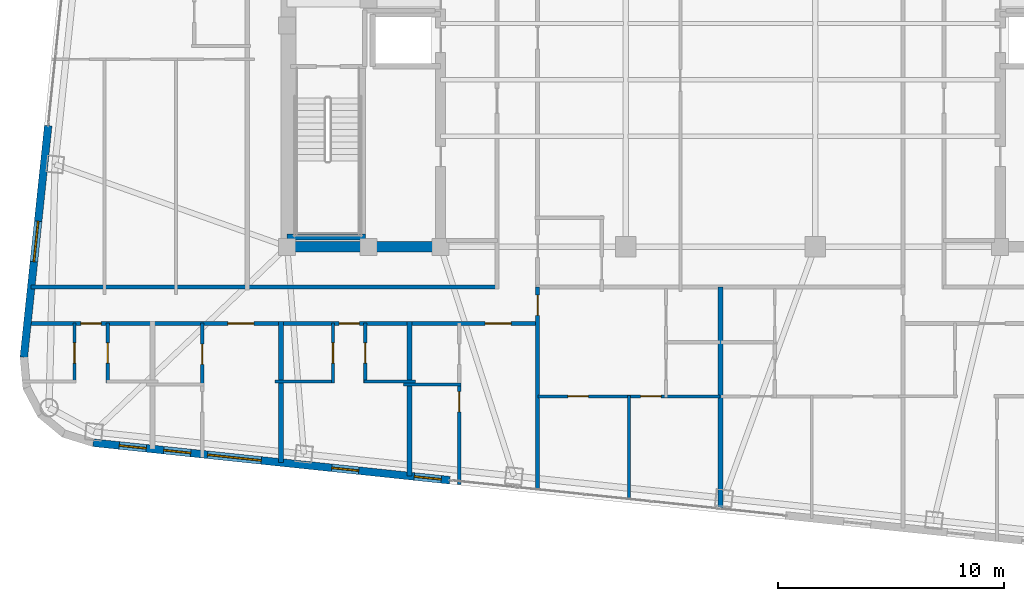
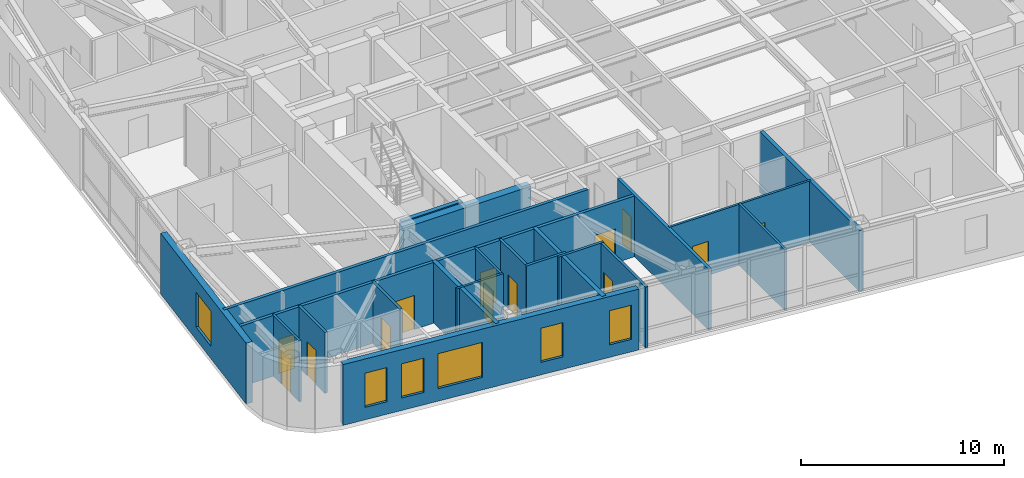
# One storey, part 15 of 23: 21 walls, 13 doors, 6 windows, 19 openings.
"""IFC4 building model written with IfcOpenShell, lengths in metres."""

from ifc_helpers import new_model, si_unit, direction, frame, frame_2d, origin, place, context, subcontext, project, spatial, rectangle, extrude, material, layer, layer_set, type_object, element, fill, save


model = new_model("IFC4")

# Units and contexts
model_context = context("Model", 3, precision=1e-05, world=origin(), true_north=direction((0.0, 1.0)))
body_context = subcontext(model_context, "Body", "Model", "MODEL_VIEW")
ifc_project = project(units=[si_unit("LENGTHUNIT", "METRE"), si_unit("AREAUNIT", "SQUARE_METRE"), si_unit("VOLUMEUNIT", "CUBIC_METRE"), si_unit("PLANEANGLEUNIT", "RADIAN"), si_unit("MASSUNIT", "GRAM", prefix="KILO")], contexts=[model_context])

# Site, building, storey
site_placement = place(None, origin())
site = spatial("IfcSite", under=ifc_project, at=site_placement, CompositionType="ELEMENT")
building_placement = place(site_placement, origin())
building = spatial("IfcBuilding", under=site, at=building_placement, Name="Voryun Gate Residences", CompositionType="ELEMENT")
storey_placement = place(building_placement, frame((0.0, 0.0, 275.60009765625)))
storey = spatial("IfcBuildingStorey", under=building, at=storey_placement, Name="L68", CompositionType="ELEMENT", Elevation=275.60009765625)

# Walls
ifc_material_1 = material(Name="Concrete C50/60", Category="concrete")
ifc_layer_1 = layer(ifc_material_1, 0.449951171875, Name="CW_CORE_450")
ifc_layer_set_1 = layer_set([ifc_layer_1], Name="Concrete C50/60")
wall_type_1 = type_object("IfcWallType", Name="CW_CORE_450", PredefinedType="SHEAR", material=ifc_layer_set_1)
wall_1_placement = place(storey_placement, frame((-19.425048828125, -7.39990234375, 0.0), z_axis=(0.0, 0.0, 1.0), x_axis=(1.0, 0.0, 0.0)))
element("IfcWall", 1, at=wall_1_placement, inside=storey, type_object=wall_type_1, Name="L68 Core shear wall CW-L68-WS", PredefinedType="SHEAR", context=body_context, shape_type="SweptSolid", body=[
    extrude(rectangle(XDim=7.25, YDim=0.449951171875, at=frame_2d((3.625, 0.0))), origin(), (0.0, 0.0, 1.0), 3.64990234375),
])
ifc_material_2 = material(Name="Gypsum acoustic fireboard")
ifc_layer_2 = layer(ifc_material_2, 0.179931640625, Name="W_CORR_RATED_180")
ifc_layer_set_2 = layer_set([ifc_layer_2], Name="Gypsum acoustic fireboard")
wall_type_2 = type_object("IfcWallType", Name="W_CORR_RATED_180", PredefinedType="PARTITIONING", material=ifc_layer_set_2)
wall_2_placement = place(storey_placement, frame((-30.543701171875, -9.18994140625, 0.0), z_axis=(0.0, 0.0, 1.0), x_axis=(1.0, 0.0, 0.0)))
element("IfcWall", 2, at=wall_2_placement, inside=storey, type_object=wall_type_2, Name="Partition wall WP-L68-CWING-WS", PredefinedType="PARTITIONING", context=body_context, shape_type="SweptSolid", body=[
    extrude(rectangle(XDim=20.663818359375, YDim=0.179931640625, at=frame_2d((10.33203125, 0.0))), origin(), (0.0, 0.0, 1.0), 3.64990234375),
])

# Wall, openings, doors
wall_3_placement = place(storey_placement, frame((-30.712890625, -10.800048828125, 0.0), z_axis=(0.0, 0.0, 1.0), x_axis=(1.0, 0.0, 0.0)))
wall_3 = element("IfcWall", 3, at=wall_3_placement, inside=storey, type_object=wall_type_2, Name="Partition wall WP-L68-SCORR-W", PredefinedType="PARTITIONING", context=body_context, shape_type="SweptSolid", body=[
    extrude(rectangle(XDim=22.6328125, YDim=0.179931640625, at=frame_2d((11.31640625, 0.0))), origin(), (0.0, 0.0, 1.0), 3.64990234375),
])
opening_1_placement = place(wall_3_placement, frame((2.372314453125, 0.0, 0.0)))
opening_1 = element("IfcOpeningElement", 4, at=opening_1_placement, cuts=wall_3, Name="Opening D-INT-2", PredefinedType="OPENING", context=body_context, shape_type="SweptSolid", body=[
    extrude(rectangle(XDim=0.89990234375, YDim=2.050048828125, at=frame_2d((0.449951171875, 1.02490234375))), frame((0.0, 0.099853515625, 0.0), z_axis=(0.0, -1.0, 0.0), x_axis=(1.0, 0.0, 0.0)), (0.0, 0.0, 1.0), 0.199951171875),
])
opening_2_placement = place(wall_3_placement, frame((8.885498046875, 0.0, 0.0)))
opening_2 = element("IfcOpeningElement", 5, at=opening_2_placement, cuts=wall_3, Name="Opening D-UNIT-1", PredefinedType="OPENING", context=body_context, shape_type="SweptSolid", body=[
    extrude(rectangle(XDim=1.14990234375, YDim=2.050048828125, at=frame_2d((0.574951171875, 1.02490234375))), frame((0.0, 0.099853515625, 0.0), z_axis=(0.0, -1.0, 0.0), x_axis=(1.0, 0.0, 0.0)), (0.0, 0.0, 1.0), 0.199951171875),
])
opening_3_placement = place(wall_3_placement, frame((13.81103515625, 0.0, 0.0)))
opening_3 = element("IfcOpeningElement", 6, at=opening_3_placement, cuts=wall_3, Name="Opening D-INT-2", PredefinedType="OPENING", context=body_context, shape_type="SweptSolid", body=[
    extrude(rectangle(XDim=0.89990234375, YDim=2.050048828125, at=frame_2d((0.449951171875, 1.02490234375))), frame((0.0, 0.099853515625, 0.0), z_axis=(0.0, -1.0, 0.0), x_axis=(1.0, 0.0, 0.0)), (0.0, 0.0, 1.0), 0.199951171875),
])
opening_4_placement = place(wall_3_placement, frame((20.283447265625, 0.0, 0.0)))
opening_4 = element("IfcOpeningElement", 7, at=opening_4_placement, cuts=wall_3, Name="Opening D-UNIT-1", PredefinedType="OPENING", context=body_context, shape_type="SweptSolid", body=[
    extrude(rectangle(XDim=1.14990234375, YDim=2.050048828125, at=frame_2d((0.574951171875, 1.02490234375))), frame((0.0, 0.099853515625, 0.0), z_axis=(0.0, -1.0, 0.0), x_axis=(1.0, 0.0, 0.0)), (0.0, 0.0, 1.0), 0.199951171875),
])
ifc_material_3 = material(Name="Architectural oak veneer")
door_type_1 = type_object("IfcDoorType", Name="DR_INT_BATH_900", OperationType="NOTDEFINED", PredefinedType="DOOR", material=ifc_material_3)
door_1_placement = place(opening_1_placement, origin())
door_1 = element("IfcDoor", 8, at=door_1_placement, inside=storey, type_object=door_type_1, Name="Door DR-L68-SENT-1", OperationType="SINGLE_SWING_RIGHT", OverallHeight=2.050048828125, OverallWidth=0.89990234375, PredefinedType="DOOR", context=body_context, shape_type="SweptSolid", body=[
    extrude(rectangle(XDim=0.89990234375, YDim=2.050048828125, at=frame_2d((0.449951171875, 1.02490234375))), frame((0.0, 0.02490234375, 0.0), z_axis=(0.0, -1.0, 0.0), x_axis=(1.0, 0.0, 0.0)), (0.0, 0.0, 1.0), 0.050048828125),
])
fill(opening_1, door_1)
door_2_placement = place(opening_3_placement, origin())
door_2 = element("IfcDoor", 9, at=door_2_placement, inside=storey, type_object=door_type_1, Name="Door DR-L68-SENT-3", OperationType="SINGLE_SWING_RIGHT", OverallHeight=2.050048828125, OverallWidth=0.89990234375, PredefinedType="DOOR", context=body_context, shape_type="SweptSolid", body=[
    extrude(rectangle(XDim=0.89990234375, YDim=2.050048828125, at=frame_2d((0.449951171875, 1.02490234375))), frame((0.0, 0.02490234375, 0.0), z_axis=(0.0, -1.0, 0.0), x_axis=(1.0, 0.0, 0.0)), (0.0, 0.0, 1.0), 0.050048828125),
])
fill(opening_3, door_2)
ifc_material_4 = material(Name="Armoured timber-clad fire door", Category="wood")
door_type_2 = type_object("IfcDoorType", Name="DR_UNIT_ENTRY_1150", OperationType="NOTDEFINED", PredefinedType="DOOR", material=ifc_material_4)
door_3_placement = place(opening_2_placement, origin())
door_3 = element("IfcDoor", 10, at=door_3_placement, inside=storey, type_object=door_type_2, Name="Door DR-L68-SENT-2", OperationType="SINGLE_SWING_LEFT", OverallHeight=2.050048828125, OverallWidth=1.14990234375, PredefinedType="DOOR", context=body_context, shape_type="SweptSolid", body=[
    extrude(rectangle(XDim=1.14990234375, YDim=2.050048828125, at=frame_2d((0.574951171875, 1.02490234375))), frame((0.0, 0.02490234375, 0.0), z_axis=(0.0, -1.0, 0.0), x_axis=(1.0, 0.0, 0.0)), (0.0, 0.0, 1.0), 0.050048828125),
])
fill(opening_2, door_3)
door_4_placement = place(opening_4_placement, origin())
door_4 = element("IfcDoor", 11, at=door_4_placement, inside=storey, type_object=door_type_2, Name="Door DR-L68-SENT-4", OperationType="SINGLE_SWING_LEFT", OverallHeight=2.050048828125, OverallWidth=1.14990234375, PredefinedType="DOOR", context=body_context, shape_type="SweptSolid", body=[
    extrude(rectangle(XDim=1.14990234375, YDim=2.050048828125, at=frame_2d((0.574951171875, 1.02490234375))), frame((0.0, 0.02490234375, 0.0), z_axis=(0.0, -1.0, 0.0), x_axis=(1.0, 0.0, 0.0)), (0.0, 0.0, 1.0), 0.050048828125),
])
fill(opening_4, door_4)

# Wall, opening, door
wall_4_placement = place(storey_placement, frame((-8.10009765625, -18.154541015625, 0.0), z_axis=(0.0, 0.0, 1.0), x_axis=(0.0, 1.0, 0.0)))
wall_4 = element("IfcWall", 12, at=wall_4_placement, inside=storey, type_object=wall_type_2, Name="Partition wall WP-L68-SZV-1", PredefinedType="PARTITIONING", context=body_context, shape_type="SweptSolid", body=[
    extrude(rectangle(XDim=8.964599609375, YDim=0.179931640625, at=frame_2d((4.482421875, 0.0))), origin(), (0.0, 0.0, 1.0), 3.64990234375),
])
opening_5_placement = place(wall_4_placement, frame((7.71484375, 0.0, 0.0)))
opening_5 = element("IfcOpeningElement", 13, at=opening_5_placement, cuts=wall_4, Name="Opening D-INT-2", PredefinedType="OPENING", context=body_context, shape_type="SweptSolid", body=[
    extrude(rectangle(XDim=0.89990234375, YDim=2.050048828125, at=frame_2d((0.449951171875, 1.02490234375))), frame((0.0, 0.099853515625, 0.0), z_axis=(0.0, -1.0, 0.0), x_axis=(1.0, 0.0, 0.0)), (0.0, 0.0, 1.0), 0.199951171875),
])
door_5_placement = place(opening_5_placement, origin())
door_5 = element("IfcDoor", 14, at=door_5_placement, inside=storey, type_object=door_type_1, Name="Door DR-L68-SZENT-1", OperationType="SINGLE_SWING_LEFT", OverallHeight=2.050048828125, OverallWidth=0.89990234375, PredefinedType="DOOR", context=body_context, shape_type="SweptSolid", body=[
    extrude(rectangle(XDim=0.89990234375, YDim=2.050048828125, at=frame_2d((0.449951171875, 1.02490234375))), frame((0.0, 0.02490234375, 0.0), z_axis=(0.0, -1.0, 0.0), x_axis=(1.0, 0.0, 0.0)), (0.0, 0.0, 1.0), 0.050048828125),
])
fill(opening_5, door_5)

# Wall, openings, windows
ifc_material_5 = material(Name="Charcoal terracotta masonry", Category="masonry")
ifc_layer_3 = layer(ifc_material_5, 0.340087890625, Name="W_EXT_TERRACOTTA_340")
ifc_layer_set_3 = layer_set([ifc_layer_3], Name="Charcoal terracotta masonry")
wall_type_3 = type_object("IfcWallType", Name="W_EXT_TERRACOTTA_340", PredefinedType="ELEMENTEDWALL", material=ifc_layer_set_3)
wall_5_placement = place(storey_placement, frame((-11.989013671875, -17.745849609375, 0.0), z_axis=(0.0, 0.0, 1.0), x_axis=(-0.994521594531, 0.104531325504, 0.0)))
wall_5 = element("IfcWall", 15, at=wall_5_placement, inside=storey, type_object=wall_type_3, Name="Exterior wall WEXT-L68-01B", PredefinedType="ELEMENTEDWALL", context=body_context, shape_type="SweptSolid", body=[
    extrude(rectangle(XDim=15.900634765625, YDim=0.340087890625, at=frame_2d((7.9501953125, 0.0))), origin(), (0.0, 0.0, 1.0), 3.64990234375),
])
opening_6_placement = place(wall_5_placement, frame((8.400390625, 0.0, 0.75)))
opening_6 = element("IfcOpeningElement", 16, at=opening_6_placement, cuts=wall_5, Name="Opening WN2", PredefinedType="OPENING", context=body_context, shape_type="SweptSolid", body=[
    extrude(rectangle(XDim=2.39990234375, YDim=2.10009765625, at=frame_2d((1.199951171875, 1.050048828125))), frame((0.0, 0.179931640625, 0.0), z_axis=(0.0, -1.0, 0.0), x_axis=(1.0, 0.0, 0.0)), (0.0, 0.0, 1.0), 0.360107421875),
])
opening_7_placement = place(wall_5_placement, frame((13.535888671875, 0.0, 0.75)))
opening_7 = element("IfcOpeningElement", 17, at=opening_7_placement, cuts=wall_5, Name="Opening WN6", PredefinedType="OPENING", context=body_context, shape_type="SweptSolid", body=[
    extrude(rectangle(XDim=1.199951171875, YDim=2.050048828125, at=frame_2d((0.60009765625, 1.02490234375))), frame((0.0, 0.179931640625, 0.0), z_axis=(0.0, -1.0, 0.0), x_axis=(1.0, 0.0, 0.0)), (0.0, 0.0, 1.0), 0.360107421875),
])
opening_8_placement = place(wall_5_placement, frame((11.552978515625, 0.0, 0.75)))
opening_8 = element("IfcOpeningElement", 18, at=opening_8_placement, cuts=wall_5, Name="Opening WN6", PredefinedType="OPENING", context=body_context, shape_type="SweptSolid", body=[
    extrude(rectangle(XDim=1.199951171875, YDim=2.050048828125, at=frame_2d((0.60009765625, 1.02490234375))), frame((0.0, 0.179931640625, 0.0), z_axis=(0.0, -1.0, 0.0), x_axis=(1.0, 0.0, 0.0)), (0.0, 0.0, 1.0), 0.360107421875),
])
opening_9_placement = place(wall_5_placement, frame((4.0673828125, 0.0, 0.75)))
opening_9 = element("IfcOpeningElement", 19, at=opening_9_placement, cuts=wall_5, Name="Opening WN6", PredefinedType="OPENING", context=body_context, shape_type="SweptSolid", body=[
    extrude(rectangle(XDim=1.199951171875, YDim=2.050048828125, at=frame_2d((0.60009765625, 1.02490234375))), frame((0.0, 0.179931640625, 0.0), z_axis=(0.0, -1.0, 0.0), x_axis=(1.0, 0.0, 0.0)), (0.0, 0.0, 1.0), 0.360107421875),
])
opening_10_placement = place(wall_5_placement, frame((0.387451171875, 0.0, 0.75)))
opening_10 = element("IfcOpeningElement", 20, at=opening_10_placement, cuts=wall_5, Name="Opening WN6", PredefinedType="OPENING", context=body_context, shape_type="SweptSolid", body=[
    extrude(rectangle(XDim=1.199951171875, YDim=2.050048828125, at=frame_2d((0.60009765625, 1.02490234375))), frame((0.0, 0.179931640625, 0.0), z_axis=(0.0, -1.0, 0.0), x_axis=(1.0, 0.0, 0.0)), (0.0, 0.0, 1.0), 0.360107421875),
])
ifc_material_6 = material(Name="Laminated low-E glass", Category="glass")
window_type_1 = type_object("IfcWindowType", Name="WN_POD_SLOT_1200", PartitioningType="SINGLE_PANEL", PredefinedType="WINDOW", material=ifc_material_6)
window_1_placement = place(opening_7_placement, origin())
window_1 = element("IfcWindow", 21, at=window_1_placement, inside=storey, type_object=window_type_1, Name="Window WN-L68-DWFIX-10", OverallHeight=2.050048828125, OverallWidth=1.199951171875, PartitioningType="SINGLE_PANEL", PredefinedType="WINDOW", context=body_context, shape_type="SweptSolid", body=[
    extrude(rectangle(XDim=1.199951171875, YDim=2.050048828125, at=frame_2d((0.60009765625, 1.02490234375))), frame((0.0, 0.030029296875, 0.0), z_axis=(0.0, -1.0, 0.0), x_axis=(1.0, 0.0, 0.0)), (0.0, 0.0, 1.0), 0.06005859375),
])
fill(opening_7, window_1)
window_2_placement = place(opening_8_placement, origin())
window_2 = element("IfcWindow", 22, at=window_2_placement, inside=storey, type_object=window_type_1, Name="Window WN-L68-DWFIX-11", OverallHeight=2.050048828125, OverallWidth=1.199951171875, PartitioningType="SINGLE_PANEL", PredefinedType="WINDOW", context=body_context, shape_type="SweptSolid", body=[
    extrude(rectangle(XDim=1.199951171875, YDim=2.050048828125, at=frame_2d((0.60009765625, 1.02490234375))), frame((0.0, 0.030029296875, 0.0), z_axis=(0.0, -1.0, 0.0), x_axis=(1.0, 0.0, 0.0)), (0.0, 0.0, 1.0), 0.06005859375),
])
fill(opening_8, window_2)
window_3_placement = place(opening_9_placement, origin())
window_3 = element("IfcWindow", 23, at=window_3_placement, inside=storey, type_object=window_type_1, Name="Window WN-L68-DWFIX-12", OverallHeight=2.050048828125, OverallWidth=1.199951171875, PartitioningType="SINGLE_PANEL", PredefinedType="WINDOW", context=body_context, shape_type="SweptSolid", body=[
    extrude(rectangle(XDim=1.199951171875, YDim=2.050048828125, at=frame_2d((0.60009765625, 1.02490234375))), frame((0.0, 0.030029296875, 0.0), z_axis=(0.0, -1.0, 0.0), x_axis=(1.0, 0.0, 0.0)), (0.0, 0.0, 1.0), 0.06005859375),
])
fill(opening_9, window_3)
window_4_placement = place(opening_10_placement, origin())
window_4 = element("IfcWindow", 24, at=window_4_placement, inside=storey, type_object=window_type_1, Name="Window WN-L68-DWFIX-13", OverallHeight=2.050048828125, OverallWidth=1.199951171875, PartitioningType="SINGLE_PANEL", PredefinedType="WINDOW", context=body_context, shape_type="SweptSolid", body=[
    extrude(rectangle(XDim=1.199951171875, YDim=2.050048828125, at=frame_2d((0.60009765625, 1.02490234375))), frame((0.0, 0.030029296875, 0.0), z_axis=(0.0, -1.0, 0.0), x_axis=(1.0, 0.0, 0.0)), (0.0, 0.0, 1.0), 0.06005859375),
])
fill(opening_10, window_4)
ifc_material_7 = material(Name="Laminated low-E glass", Category="glass")
window_type_2 = type_object("IfcWindowType", Name="WN_RES_WIDE_2400", PartitioningType="SINGLE_PANEL", PredefinedType="WINDOW", material=ifc_material_7)
window_5_placement = place(opening_6_placement, origin())
window_5 = element("IfcWindow", 25, at=window_5_placement, inside=storey, type_object=window_type_2, Name="Window WN-WEXT-L68-01B-01", OverallHeight=2.10009765625, OverallWidth=2.39990234375, PartitioningType="SINGLE_PANEL", PredefinedType="WINDOW", context=body_context, shape_type="SweptSolid", body=[
    extrude(rectangle(XDim=2.39990234375, YDim=2.10009765625, at=frame_2d((1.199951171875, 1.050048828125))), frame((0.0, 0.030029296875, 0.0), z_axis=(0.0, -1.0, 0.0), x_axis=(1.0, 0.0, 0.0)), (0.0, 0.0, 1.0), 0.06005859375),
])
fill(opening_6, window_5)

# Wall, opening, window
wall_6_placement = place(storey_placement, frame((-30.8701171875, -12.295654296875, 0.0), z_axis=(0.0, 0.0, 1.0), x_axis=(0.104517379014, 0.994523060308, 0.0)))
wall_6 = element("IfcWall", 26, at=wall_6_placement, inside=storey, type_object=wall_type_3, Name="Exterior wall WEXT-L68-06A", PredefinedType="ELEMENTEDWALL", context=body_context, shape_type="SweptSolid", body=[
    extrude(rectangle(XDim=10.32470703125, YDim=0.340087890625, at=frame_2d((5.162353515625, 0.0))), origin(), (0.0, 0.0, 1.0), 3.64990234375),
])
opening_11_placement = place(wall_6_placement, frame((4.26220703125, 0.0, 0.75)))
opening_11 = element("IfcOpeningElement", 27, at=opening_11_placement, cuts=wall_6, Name="Opening WN1", PredefinedType="OPENING", context=body_context, shape_type="SweptSolid", body=[
    extrude(rectangle(XDim=1.800048828125, YDim=2.10009765625, at=frame_2d((0.89990234375, 1.050048828125))), frame((0.0, 0.179931640625, 0.0), z_axis=(0.0, -1.0, 0.0), x_axis=(1.0, 0.0, 0.0)), (0.0, 0.0, 1.0), 0.360107421875),
])
ifc_material_8 = material(Name="Laminated low-E glass", Category="glass")
window_type_3 = type_object("IfcWindowType", Name="WN_RES_PUNCH_1800", PartitioningType="SINGLE_PANEL", PredefinedType="WINDOW", material=ifc_material_8)
window_6_placement = place(opening_11_placement, origin())
window_6 = element("IfcWindow", 28, at=window_6_placement, inside=storey, type_object=window_type_3, Name="Window WN-WEXT-L68-06A-01", OverallHeight=2.10009765625, OverallWidth=1.800048828125, PartitioningType="SINGLE_PANEL", PredefinedType="WINDOW", context=body_context, shape_type="SweptSolid", body=[
    extrude(rectangle(XDim=1.800048828125, YDim=2.10009765625, at=frame_2d((0.89990234375, 1.050048828125))), frame((0.0, 0.030029296875, 0.0), z_axis=(0.0, -1.0, 0.0), x_axis=(1.0, 0.0, 0.0)), (0.0, 0.0, 1.0), 0.06005859375),
])
fill(opening_11, window_6)

# Walls
ifc_material_9 = material(Name="Concrete C40/50", Category="concrete")
ifc_layer_4 = layer(ifc_material_9, 0.219970703125, Name="W_PARTY_ACOUSTIC_220")
ifc_layer_set_4 = layer_set([ifc_layer_4], Name="Concrete C40/50")
wall_type_4 = type_object("IfcWallType", Name="W_PARTY_ACOUSTIC_220", PredefinedType="PARTITIONING", material=ifc_layer_set_4)
wall_7_placement = place(storey_placement, frame((-19.47802734375, -16.958740234375, 0.0), z_axis=(0.0, 0.0, 1.0), x_axis=(0.0, 1.0, 0.0)))
element("IfcWall", 29, at=wall_7_placement, inside=storey, type_object=wall_type_4, Name="Partition wall WP-L68-SPTY-2", PredefinedType="PARTITIONING", context=body_context, shape_type="SweptSolid", body=[
    extrude(rectangle(XDim=6.23876953125, YDim=0.219970703125, at=frame_2d((3.119384765625, 0.0))), origin(), (0.0, 0.0, 1.0), 3.64990234375),
])
wall_8_placement = place(storey_placement, frame((-13.779052734375, -17.5576171875, 0.0), z_axis=(0.0, 0.0, 1.0), x_axis=(0.0, 1.0, 0.0)))
element("IfcWall", 30, at=wall_8_placement, inside=storey, type_object=wall_type_4, Name="Partition wall WP-L68-SPTY-3", PredefinedType="PARTITIONING", context=body_context, shape_type="SweptSolid", body=[
    extrude(rectangle(XDim=6.837646484375, YDim=0.219970703125, at=frame_2d((3.4189453125, 0.0))), origin(), (0.0, 0.0, 1.0), 3.64990234375),
])
wall_9_placement = place(storey_placement, frame((0.0, -19.005859375, 0.0), z_axis=(0.0, 0.0, 1.0), x_axis=(0.0, 1.0, 0.0)))
element("IfcWall", 31, at=wall_9_placement, inside=storey, type_object=wall_type_4, Name="Partition wall WP-L68-SZMID", PredefinedType="PARTITIONING", context=body_context, shape_type="SweptSolid", body=[
    extrude(rectangle(XDim=9.81591796875, YDim=0.219970703125, at=frame_2d((4.907958984375, 0.0))), origin(), (0.0, 0.0, 1.0), 3.64990234375),
])
ifc_material_10 = material(Name="Concrete C50/60", Category="concrete")
ifc_layer_5 = layer(ifc_material_10, 0.25, Name="W_SHAFT_RC250")
ifc_layer_set_5 = layer_set([ifc_layer_5], Name="Concrete C50/60")
wall_type_5 = type_object("IfcWallType", Name="W_SHAFT_RC250", PredefinedType="SOLIDWALL", material=ifc_layer_set_5)
wall_10_placement = place(storey_placement, frame((-19.199951171875, -6.965087890625, 0.0), z_axis=(0.0, 0.0, 1.0), x_axis=(1.0, 0.0, 0.0)))
element("IfcWall", 32, at=wall_10_placement, inside=storey, type_object=wall_type_5, Name="L68 Stair shaft structural wall W-STS", PredefinedType="SOLIDWALL", context=body_context, shape_type="SweptSolid", body=[
    extrude(rectangle(XDim=3.4599609375, YDim=0.25, at=frame_2d((1.72998046875, 0.0))), origin(), (0.0, 0.0, 1.0), 3.64990234375),
])

# Wall, opening, door
ifc_material_11 = material(Name="Gypsum acoustic partition")
ifc_layer_6 = layer(ifc_material_11, 0.125, Name="W_UNIT_PART_125")
ifc_layer_set_6 = layer_set([ifc_layer_6], Name="Gypsum acoustic partition")
wall_type_6 = type_object("IfcWallType", Name="W_UNIT_PART_125", PredefinedType="PARTITIONING", material=ifc_layer_set_6)
wall_11_placement = place(storey_placement, frame((-28.626953125, -13.429931640625, 0.0), z_axis=(0.0, 0.0, 1.0), x_axis=(0.0, 1.0, 0.0)))
wall_11 = element("IfcWall", 33, at=wall_11_placement, inside=storey, type_object=wall_type_6, Name="Partition wall WP-L68-S1-CVK", PredefinedType="PARTITIONING", context=body_context, shape_type="SweptSolid", body=[
    extrude(rectangle(XDim=2.64990234375, YDim=0.125, at=frame_2d((1.324951171875, 0.0))), origin(), (0.0, 0.0, 1.0), 3.64990234375),
])
opening_12_placement = place(wall_11_placement, frame((0.875, 0.0, 0.0)))
opening_12 = element("IfcOpeningElement", 34, at=opening_12_placement, cuts=wall_11, Name="Opening D-INT-2", PredefinedType="OPENING", context=body_context, shape_type="SweptSolid", body=[
    extrude(rectangle(XDim=0.89990234375, YDim=2.050048828125, at=frame_2d((0.449951171875, 1.02490234375))), frame((0.0, 0.072509765625, 0.0), z_axis=(0.0, -1.0, 0.0), x_axis=(1.0, 0.0, 0.0)), (0.0, 0.0, 1.0), 0.14501953125),
])
door_6_placement = place(opening_12_placement, origin())
door_6 = element("IfcDoor", 35, at=door_6_placement, inside=storey, type_object=door_type_1, Name="Door DR-L68-S1-DK", OperationType="SINGLE_SWING_LEFT", OverallHeight=2.050048828125, OverallWidth=0.89990234375, PredefinedType="DOOR", context=body_context, shape_type="SweptSolid", body=[
    extrude(rectangle(XDim=0.89990234375, YDim=2.050048828125, at=frame_2d((0.449951171875, 1.02490234375))), frame((0.0, 0.02490234375, 0.0), z_axis=(0.0, -1.0, 0.0), x_axis=(1.0, 0.0, 0.0)), (0.0, 0.0, 1.0), 0.050048828125),
])
fill(opening_12, door_6)

wall_12_placement = place(storey_placement, frame((-17.16796875, -13.429931640625, 0.0), z_axis=(0.0, 0.0, 1.0), x_axis=(0.0, 1.0, 0.0)))
wall_12 = element("IfcWall", 36, at=wall_12_placement, inside=storey, type_object=wall_type_6, Name="Partition wall WP-L68-S3-CVK", PredefinedType="PARTITIONING", context=body_context, shape_type="SweptSolid", body=[
    extrude(rectangle(XDim=2.64990234375, YDim=0.125, at=frame_2d((1.324951171875, 0.0))), origin(), (0.0, 0.0, 1.0), 3.64990234375),
])
opening_13_placement = place(wall_12_placement, frame((0.875, 0.0, 0.0)))
opening_13 = element("IfcOpeningElement", 37, at=opening_13_placement, cuts=wall_12, Name="Opening D-INT-2", PredefinedType="OPENING", context=body_context, shape_type="SweptSolid", body=[
    extrude(rectangle(XDim=0.89990234375, YDim=2.050048828125, at=frame_2d((0.449951171875, 1.02490234375))), frame((0.0, 0.072509765625, 0.0), z_axis=(0.0, -1.0, 0.0), x_axis=(1.0, 0.0, 0.0)), (0.0, 0.0, 1.0), 0.14501953125),
])
door_7_placement = place(opening_13_placement, origin())
door_7 = element("IfcDoor", 38, at=door_7_placement, inside=storey, type_object=door_type_1, Name="Door DR-L68-S3-DK", OperationType="SINGLE_SWING_LEFT", OverallHeight=2.050048828125, OverallWidth=0.89990234375, PredefinedType="DOOR", context=body_context, shape_type="SweptSolid", body=[
    extrude(rectangle(XDim=0.89990234375, YDim=2.050048828125, at=frame_2d((0.449951171875, 1.02490234375))), frame((0.0, 0.02490234375, 0.0), z_axis=(0.0, -1.0, 0.0), x_axis=(1.0, 0.0, 0.0)), (0.0, 0.0, 1.0), 0.050048828125),
])
fill(opening_13, door_7)

# Wall
wall_13_placement = place(storey_placement, frame((-19.738037109375, -13.3701171875, 0.0), z_axis=(0.0, 0.0, 1.0), x_axis=(1.0, 0.0, 0.0)))
element("IfcWall", 39, at=wall_13_placement, inside=storey, type_object=wall_type_6, Name="Partition wall WP-L68-S3-CHK", PredefinedType="PARTITIONING", context=body_context, shape_type="SweptSolid", body=[
    extrude(rectangle(XDim=2.630126953125, YDim=0.125, at=frame_2d((1.31494140625, 0.0))), origin(), (0.0, 0.0, 1.0), 3.64990234375),
])

# Wall, openings, doors
wall_14_placement = place(storey_placement, frame((-8.080078125, -14.030029296875, 0.0), z_axis=(0.0, 0.0, 1.0), x_axis=(1.0, 0.0, 0.0)))
wall_14 = element("IfcWall", 40, at=wall_14_placement, inside=storey, type_object=wall_type_6, Name="Partition wall WP-L68-SC1-HZ", PredefinedType="PARTITIONING", context=body_context, shape_type="SweptSolid", body=[
    extrude(rectangle(XDim=8.06005859375, YDim=0.125, at=frame_2d((4.030029296875, 0.0))), origin(), (0.0, 0.0, 1.0), 3.64990234375),
])
opening_14_placement = place(wall_14_placement, frame((1.3232421875, 0.0, 0.0)))
opening_14 = element("IfcOpeningElement", 41, at=opening_14_placement, cuts=wall_14, Name="Opening D-INT-2", PredefinedType="OPENING", context=body_context, shape_type="SweptSolid", body=[
    extrude(rectangle(XDim=0.89990234375, YDim=2.050048828125, at=frame_2d((0.449951171875, 1.02490234375))), frame((0.0, 0.072509765625, 0.0), z_axis=(0.0, -1.0, 0.0), x_axis=(1.0, 0.0, 0.0)), (0.0, 0.0, 1.0), 0.14501953125),
])
opening_15_placement = place(wall_14_placement, frame((4.547119140625, 0.0, 0.0)))
opening_15 = element("IfcOpeningElement", 42, at=opening_15_placement, cuts=wall_14, Name="Opening D-INT-2", PredefinedType="OPENING", context=body_context, shape_type="SweptSolid", body=[
    extrude(rectangle(XDim=0.89990234375, YDim=2.050048828125, at=frame_2d((0.449951171875, 1.02490234375))), frame((0.0, 0.072509765625, 0.0), z_axis=(0.0, -1.0, 0.0), x_axis=(1.0, 0.0, 0.0)), (0.0, 0.0, 1.0), 0.14501953125),
])
door_8_placement = place(opening_14_placement, origin())
door_8 = element("IfcDoor", 43, at=door_8_placement, inside=storey, type_object=door_type_1, Name="Door DR-L68-SC1-DMB", OperationType="SINGLE_SWING_LEFT", OverallHeight=2.050048828125, OverallWidth=0.89990234375, PredefinedType="DOOR", context=body_context, shape_type="SweptSolid", body=[
    extrude(rectangle(XDim=0.89990234375, YDim=2.050048828125, at=frame_2d((0.449951171875, 1.02490234375))), frame((0.0, 0.02490234375, 0.0), z_axis=(0.0, -1.0, 0.0), x_axis=(1.0, 0.0, 0.0)), (0.0, 0.0, 1.0), 0.050048828125),
])
fill(opening_14, door_8)
door_9_placement = place(opening_15_placement, origin())
door_9 = element("IfcDoor", 44, at=door_9_placement, inside=storey, type_object=door_type_1, Name="Door DR-L68-SC1-DBD2", OperationType="SINGLE_SWING_RIGHT", OverallHeight=2.050048828125, OverallWidth=0.89990234375, PredefinedType="DOOR", context=body_context, shape_type="SweptSolid", body=[
    extrude(rectangle(XDim=0.89990234375, YDim=2.050048828125, at=frame_2d((0.449951171875, 1.02490234375))), frame((0.0, 0.02490234375, 0.0), z_axis=(0.0, -1.0, 0.0), x_axis=(1.0, 0.0, 0.0)), (0.0, 0.0, 1.0), 0.050048828125),
])
fill(opening_15, door_9)

# Wall
wall_15_placement = place(storey_placement, frame((-4.050048828125, -18.580078125, 0.0), z_axis=(0.0, 0.0, 1.0), x_axis=(0.0, 1.0, 0.0)))
element("IfcWall", 45, at=wall_15_placement, inside=storey, type_object=wall_type_6, Name="Partition wall WP-L68-SC1-VBD", PredefinedType="PARTITIONING", context=body_context, shape_type="SweptSolid", body=[
    extrude(rectangle(XDim=4.590087890625, YDim=0.125, at=frame_2d((2.294921875, 0.0))), origin(), (0.0, 0.0, 1.0), 3.64990234375),
])

# Wall, opening, door
ifc_material_12 = material(Name="Gypsum moisture-resistant partition")
ifc_layer_7 = layer(ifc_material_12, 0.14990234375, Name="W_WET_PLUMB_150")
ifc_layer_set_7 = layer_set([ifc_layer_7], Name="Gypsum moisture-resistant partition")
wall_type_7 = type_object("IfcWallType", Name="W_WET_PLUMB_150", PredefinedType="PLUMBINGWALL", material=ifc_layer_set_7)
wall_16_placement = place(storey_placement, frame((-27.155029296875, -13.429931640625, 0.0), z_axis=(0.0, 0.0, 1.0), x_axis=(0.0, 1.0, 0.0)))
wall_16 = element("IfcWall", 46, at=wall_16_placement, inside=storey, type_object=wall_type_7, Name="Partition wall WP-L68-S1-CVB", PredefinedType="PLUMBINGWALL", context=body_context, shape_type="SweptSolid", body=[
    extrude(rectangle(XDim=2.64990234375, YDim=0.14990234375, at=frame_2d((1.324951171875, 0.0))), origin(), (0.0, 0.0, 1.0), 3.64990234375),
])
opening_16_placement = place(wall_16_placement, frame((0.875, 0.0, 0.0)))
opening_16 = element("IfcOpeningElement", 47, at=opening_16_placement, cuts=wall_16, Name="Opening D-INT-2", PredefinedType="OPENING", context=body_context, shape_type="SweptSolid", body=[
    extrude(rectangle(XDim=0.89990234375, YDim=2.050048828125, at=frame_2d((0.449951171875, 1.02490234375))), frame((0.0, 0.0849609375, 0.0), z_axis=(0.0, -1.0, 0.0), x_axis=(1.0, 0.0, 0.0)), (0.0, 0.0, 1.0), 0.169921875),
])
door_10_placement = place(opening_16_placement, origin())
door_10 = element("IfcDoor", 48, at=door_10_placement, inside=storey, type_object=door_type_1, Name="Door DR-L68-S1-DB", OperationType="SINGLE_SWING_RIGHT", OverallHeight=2.050048828125, OverallWidth=0.89990234375, PredefinedType="DOOR", context=body_context, shape_type="SweptSolid", body=[
    extrude(rectangle(XDim=0.89990234375, YDim=2.050048828125, at=frame_2d((0.449951171875, 1.02490234375))), frame((0.0, 0.02490234375, 0.0), z_axis=(0.0, -1.0, 0.0), x_axis=(1.0, 0.0, 0.0)), (0.0, 0.0, 1.0), 0.050048828125),
])
fill(opening_16, door_10)

wall_17_placement = place(storey_placement, frame((-22.968017578125, -13.5400390625, 0.0), z_axis=(0.0, 0.0, 1.0), x_axis=(0.0, 1.0, 0.0)))
wall_17 = element("IfcWall", 49, at=wall_17_placement, inside=storey, type_object=wall_type_7, Name="Partition wall WP-L68-S2-SVT2", PredefinedType="PLUMBINGWALL", context=body_context, shape_type="SweptSolid", body=[
    extrude(rectangle(XDim=2.760009765625, YDim=0.14990234375, at=frame_2d((1.3798828125, 0.0))), origin(), (0.0, 0.0, 1.0), 3.64990234375),
])
opening_17_placement = place(wall_17_placement, frame((0.929931640625, 0.0, 0.0)))
opening_17 = element("IfcOpeningElement", 50, at=opening_17_placement, cuts=wall_17, Name="Opening D-INT-2", PredefinedType="OPENING", context=body_context, shape_type="SweptSolid", body=[
    extrude(rectangle(XDim=0.89990234375, YDim=2.050048828125, at=frame_2d((0.449951171875, 1.02490234375))), frame((0.0, 0.0849609375, 0.0), z_axis=(0.0, -1.0, 0.0), x_axis=(1.0, 0.0, 0.0)), (0.0, 0.0, 1.0), 0.169921875),
])
door_11_placement = place(opening_17_placement, origin())
door_11 = element("IfcDoor", 51, at=door_11_placement, inside=storey, type_object=door_type_1, Name="Door DR-L68-S2-DB", OperationType="SINGLE_SWING_RIGHT", OverallHeight=2.050048828125, OverallWidth=0.89990234375, PredefinedType="DOOR", context=body_context, shape_type="SweptSolid", body=[
    extrude(rectangle(XDim=0.89990234375, YDim=2.050048828125, at=frame_2d((0.449951171875, 1.02490234375))), frame((0.0, 0.02490234375, 0.0), z_axis=(0.0, -1.0, 0.0), x_axis=(1.0, 0.0, 0.0)), (0.0, 0.0, 1.0), 0.050048828125),
])
fill(opening_17, door_11)

wall_18_placement = place(storey_placement, frame((-15.736083984375, -13.429931640625, 0.0), z_axis=(0.0, 0.0, 1.0), x_axis=(0.0, 1.0, 0.0)))
wall_18 = element("IfcWall", 52, at=wall_18_placement, inside=storey, type_object=wall_type_7, Name="Partition wall WP-L68-S3-CVB", PredefinedType="PLUMBINGWALL", context=body_context, shape_type="SweptSolid", body=[
    extrude(rectangle(XDim=2.64990234375, YDim=0.14990234375, at=frame_2d((1.324951171875, 0.0))), origin(), (0.0, 0.0, 1.0), 3.64990234375),
])
opening_18_placement = place(wall_18_placement, frame((0.875, 0.0, 0.0)))
opening_18 = element("IfcOpeningElement", 53, at=opening_18_placement, cuts=wall_18, Name="Opening D-INT-2", PredefinedType="OPENING", context=body_context, shape_type="SweptSolid", body=[
    extrude(rectangle(XDim=0.89990234375, YDim=2.050048828125, at=frame_2d((0.449951171875, 1.02490234375))), frame((0.0, 0.0849609375, 0.0), z_axis=(0.0, -1.0, 0.0), x_axis=(1.0, 0.0, 0.0)), (0.0, 0.0, 1.0), 0.169921875),
])
door_12_placement = place(opening_18_placement, origin())
door_12 = element("IfcDoor", 54, at=door_12_placement, inside=storey, type_object=door_type_1, Name="Door DR-L68-S3-DB", OperationType="SINGLE_SWING_RIGHT", OverallHeight=2.050048828125, OverallWidth=0.89990234375, PredefinedType="DOOR", context=body_context, shape_type="SweptSolid", body=[
    extrude(rectangle(XDim=0.89990234375, YDim=2.050048828125, at=frame_2d((0.449951171875, 1.02490234375))), frame((0.0, 0.02490234375, 0.0), z_axis=(0.0, -1.0, 0.0), x_axis=(1.0, 0.0, 0.0)), (0.0, 0.0, 1.0), 0.050048828125),
])
fill(opening_18, door_12)

# Walls
wall_19_placement = place(storey_placement, frame((-15.7958984375, -13.3701171875, 0.0), z_axis=(0.0, 0.0, 1.0), x_axis=(1.0, 0.0, 0.0)))
element("IfcWall", 55, at=wall_19_placement, inside=storey, type_object=wall_type_7, Name="Partition wall WP-L68-S3-CHB", PredefinedType="PLUMBINGWALL", context=body_context, shape_type="SweptSolid", body=[
    extrude(rectangle(XDim=2.27685546875, YDim=0.14990234375, at=frame_2d((1.138427734375, 0.0))), origin(), (0.0, 0.0, 1.0), 3.64990234375),
])
wall_20_placement = place(storey_placement, frame((-14.0390625, -13.5, 0.0), z_axis=(0.0, 0.0, 1.0), x_axis=(1.0, 0.0, 0.0)))
element("IfcWall", 56, at=wall_20_placement, inside=storey, type_object=wall_type_7, Name="Partition wall WP-L68-S4-SKB", PredefinedType="PLUMBINGWALL", context=body_context, shape_type="SweptSolid", body=[
    extrude(rectangle(XDim=2.550048828125, YDim=0.14990234375, at=frame_2d((1.27490234375, 0.0))), origin(), (0.0, 0.0, 1.0), 3.64990234375),
])

# Wall, opening, door
wall_21_placement = place(storey_placement, frame((-11.569091796875, -17.94091796875, 0.0), z_axis=(0.0, 0.0, 1.0), x_axis=(0.0, 1.0, 0.0)))
wall_21 = element("IfcWall", 57, at=wall_21_placement, inside=storey, type_object=wall_type_7, Name="Partition wall WP-L68-S4-SVT1", PredefinedType="PLUMBINGWALL", context=body_context, shape_type="SweptSolid", body=[
    extrude(rectangle(XDim=4.48095703125, YDim=0.14990234375, at=frame_2d((2.240478515625, 0.0))), origin(), (0.0, 0.0, 1.0), 3.64990234375),
])
opening_19_placement = place(wall_21_placement, frame((3.224365234375, 0.0, 0.0)))
opening_19 = element("IfcOpeningElement", 58, at=opening_19_placement, cuts=wall_21, Name="Opening D-INT-2", PredefinedType="OPENING", context=body_context, shape_type="SweptSolid", body=[
    extrude(rectangle(XDim=0.89990234375, YDim=2.050048828125, at=frame_2d((0.449951171875, 1.02490234375))), frame((0.0, 0.0849609375, 0.0), z_axis=(0.0, -1.0, 0.0), x_axis=(1.0, 0.0, 0.0)), (0.0, 0.0, 1.0), 0.169921875),
])
door_13_placement = place(opening_19_placement, origin())
door_13 = element("IfcDoor", 59, at=door_13_placement, inside=storey, type_object=door_type_1, Name="Door DR-L68-S4-DK", OperationType="SINGLE_SWING_LEFT", OverallHeight=2.050048828125, OverallWidth=0.89990234375, PredefinedType="DOOR", context=body_context, shape_type="SweptSolid", body=[
    extrude(rectangle(XDim=0.89990234375, YDim=2.050048828125, at=frame_2d((0.449951171875, 1.02490234375))), frame((0.0, 0.02490234375, 0.0), z_axis=(0.0, -1.0, 0.0), x_axis=(1.0, 0.0, 0.0)), (0.0, 0.0, 1.0), 0.050048828125),
])
fill(opening_19, door_13)

save(model, "model.ifc")
